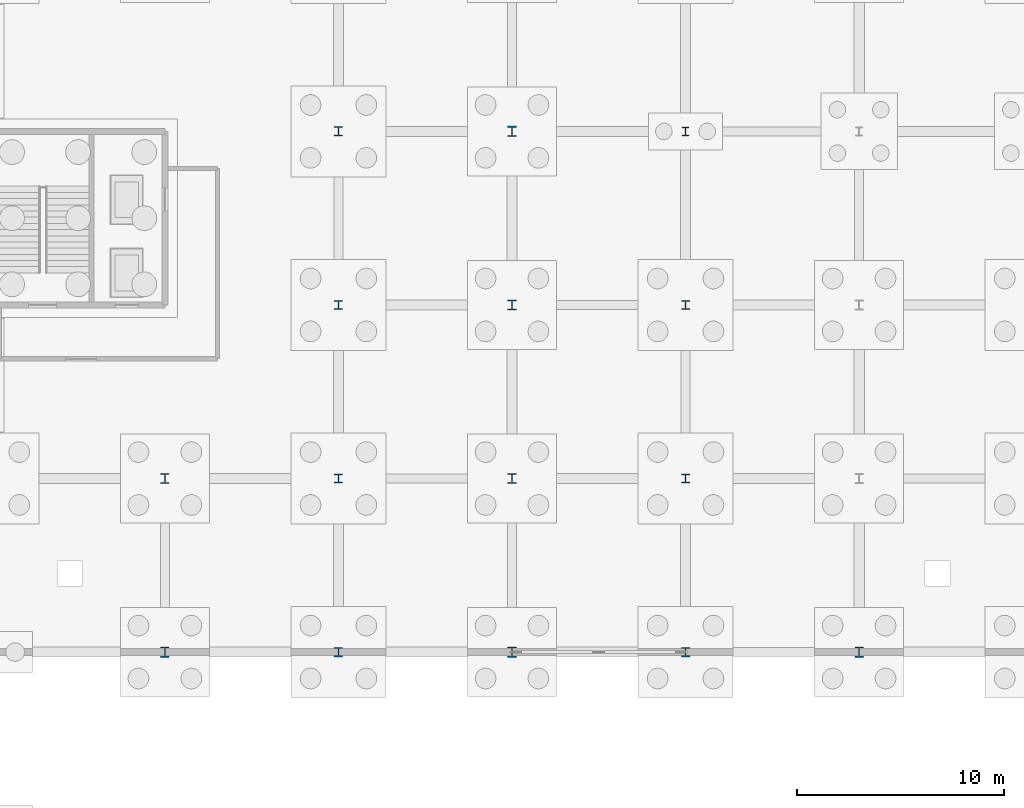
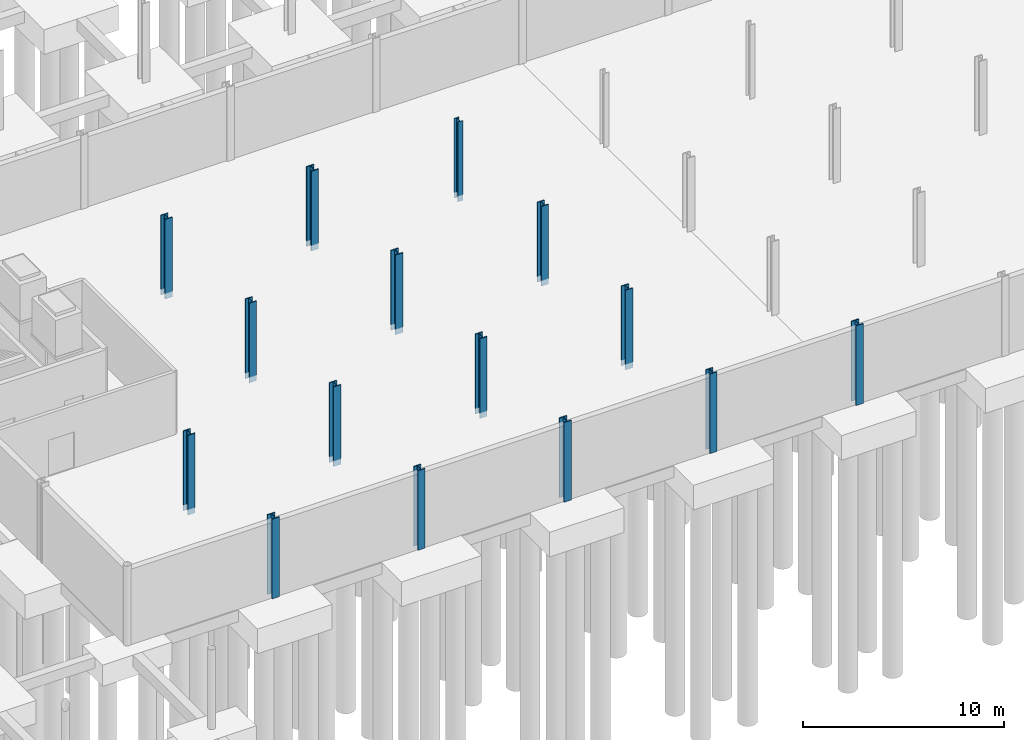
# One storey, part 22 of 51: 15 columns.
"""IFC4 building model written with IfcOpenShell, lengths in metres."""

from ifc_helpers import new_model, si_unit, direction, frame, origin, origin_2d, place, context, subcontext, project, spatial, i_section, extrude, material, material_profile, profile_set, type_object, element, save


model = new_model("IFC4")

# Units and contexts
model_context = context("Model", 3, precision=1e-05, world=origin(), true_north=direction((0.0, 1.0)))
body_context = subcontext(model_context, "Body", "Model", "MODEL_VIEW")
ifc_project = project(units=[si_unit("LENGTHUNIT", "METRE"), si_unit("AREAUNIT", "SQUARE_METRE"), si_unit("VOLUMEUNIT", "CUBIC_METRE"), si_unit("PLANEANGLEUNIT", "RADIAN"), si_unit("MASSUNIT", "GRAM", prefix="KILO")], contexts=[model_context])

# Site, building, storey
site_placement = place(None, origin())
site = spatial("IfcSite", under=ifc_project, at=site_placement, CompositionType="ELEMENT")
building_placement = place(site_placement, origin())
building = spatial("IfcBuilding", under=site, at=building_placement, Name="Qalvenar Corner Mobility Hub", CompositionType="ELEMENT")
storey_placement = place(building_placement, frame((0.0, 0.0, -4.5)))
storey = spatial("IfcBuildingStorey", under=building, at=storey_placement, Name="B1", CompositionType="ELEMENT", Elevation=-4.5)

# Columns
ifc_material = material(Name="Steel S355", Category="steel")
ifc_material_profile_1 = material_profile(ifc_material, i_section(OverallWidth=0.412109375, OverallDepth=0.455078125, WebThickness=0.030517578125, FlangeThickness=0.049072265625, FilletRadius=0.014892578125, at=origin_2d()), Name="HD400x421")
ifc_profile_set_1 = profile_set([ifc_material_profile_1], Name="Steel S355")
column_type_1 = type_object("IfcColumnType", Name="COL-HD400X382", PredefinedType="COLUMN", material=ifc_profile_set_1)
for number, where, z_axis, x_axis, name in (
    (1, (75.60009765625, 67.199951171875, -0.35009765625), (0.0, 0.0, 1.0), (1.0, 0.0, 0.0), "Steel Column B1-G10-8"),
    (2, (75.60009765625, 75.60009765625, -0.35009765625), (0.0, 0.0, 1.0), (1.0, 0.0, 0.0), "Steel Column B1-G10-9"),
    (3, (75.60009765625, 84.0, -0.35009765625), (0.0, 0.0, 1.0), (1.0, 0.0, 0.0), "Steel Column B1-G10-10"),
    (4, (75.60009765625, 92.39990234375, -0.35009765625), (0.0, 0.0, 1.0), (1.0, 0.0, 0.0), "Steel Column B1-G10-11"),
    (5, (92.39990234375, 67.199951171875, -0.35009765625), (0.0, 0.0, 1.0), (1.0, 0.0, 0.0), "Steel Column B1-G12-8"),
    (6, (92.39990234375, 75.60009765625, -0.35009765625), (0.0, 0.0, 1.0), (1.0, 0.0, 0.0), "Steel Column B1-G12-9"),
    (7, (92.39990234375, 84.0, -0.35009765625), (0.0, 0.0, 1.0), (1.0, 0.0, 0.0), "Steel Column B1-G12-10"),
):
    element("IfcColumn", number, at=place(storey_placement, frame(where, z_axis=z_axis, x_axis=x_axis)), inside=storey, type_object=column_type_1, Name=name, PredefinedType="COLUMN", context=body_context, shape_type="SweptSolid", body=[
        extrude(i_section(OverallWidth=0.412109375, OverallDepth=0.455078125, WebThickness=0.030517578125, FlangeThickness=0.049072265625, FilletRadius=0.014892578125, at=origin_2d()), origin(), (0.0, 0.0, 1.0), 4.85009765625),
    ])
ifc_material_profile_2 = material_profile(ifc_material, i_section(OverallWidth=0.419921875, OverallDepth=0.5048828125, WebThickness=0.03662109375, FlangeThickness=0.05908203125, FilletRadius=0.014892578125, at=origin_2d()), Name="HD400x551")
ifc_profile_set_2 = profile_set([ifc_material_profile_2], Name="Steel S355")
column_type_2 = type_object("IfcColumnType", Name="COL-HD400X463", PredefinedType="COLUMN", material=ifc_profile_set_2)
for number, where, z_axis, x_axis, name in (
    (8, (67.199951171875, 67.199951171875, -0.35009765625), (0.0, 0.0, 1.0), (1.0, 0.0, 0.0), "Steel Column B1-G9-8"),
    (9, (67.199951171875, 75.60009765625, -0.35009765625), (0.0, 0.0, 1.0), (1.0, 0.0, 0.0), "Steel Column B1-G9-9"),
    (10, (84.0, 67.199951171875, -0.35009765625), (0.0, 0.0, 1.0), (1.0, 0.0, 0.0), "Steel Column B1-G11-8"),
    (11, (84.0, 75.60009765625, -0.35009765625), (0.0, 0.0, 1.0), (1.0, 0.0, 0.0), "Steel Column B1-G11-9"),
    (12, (84.0, 84.0, -0.35009765625), (0.0, 0.0, 1.0), (1.0, 0.0, 0.0), "Steel Column B1-G11-10"),
    (13, (84.0, 92.39990234375, -0.35009765625), (0.0, 0.0, 1.0), (1.0, 0.0, 0.0), "Steel Column B1-G11-11"),
    (14, (100.800048828125, 67.199951171875, -0.35009765625), (0.0, 0.0, 1.0), (1.0, 0.0, 0.0), "Steel Column B1-G13-8"),
):
    element("IfcColumn", number, at=place(storey_placement, frame(where, z_axis=z_axis, x_axis=x_axis)), inside=storey, type_object=column_type_2, Name=name, PredefinedType="COLUMN", context=body_context, shape_type="SweptSolid", body=[
        extrude(i_section(OverallWidth=0.419921875, OverallDepth=0.5048828125, WebThickness=0.03662109375, FlangeThickness=0.05908203125, FilletRadius=0.014892578125, at=origin_2d()), origin(), (0.0, 0.0, 1.0), 4.85009765625),
    ])
ifc_material_profile_3 = material_profile(ifc_material, i_section(OverallWidth=0.300048828125, OverallDepth=0.39990234375, WebThickness=0.013427734375, FlangeThickness=0.02392578125, FilletRadius=0.027099609375, at=origin_2d()), Name="HEB400")
ifc_profile_set_3 = profile_set([ifc_material_profile_3], Name="Steel S355")
column_type_3 = type_object("IfcColumnType", Name="COL-HEB400", PredefinedType="COLUMN", material=ifc_profile_set_3)
column_placement = place(storey_placement, frame((92.39990234375, 92.39990234375, -0.35009765625), z_axis=(0.0, 0.0, 1.0), x_axis=(1.0, 0.0, 0.0)))
element("IfcColumn", 15, at=column_placement, inside=storey, type_object=column_type_3, Name="Steel Column B1-G12-11", PredefinedType="COLUMN", context=body_context, shape_type="SweptSolid", body=[
    extrude(i_section(OverallWidth=0.300048828125, OverallDepth=0.39990234375, WebThickness=0.013427734375, FlangeThickness=0.02392578125, FilletRadius=0.027099609375, at=origin_2d()), origin(), (0.0, 0.0, 1.0), 4.85009765625),
])

save(model, "model.ifc")
